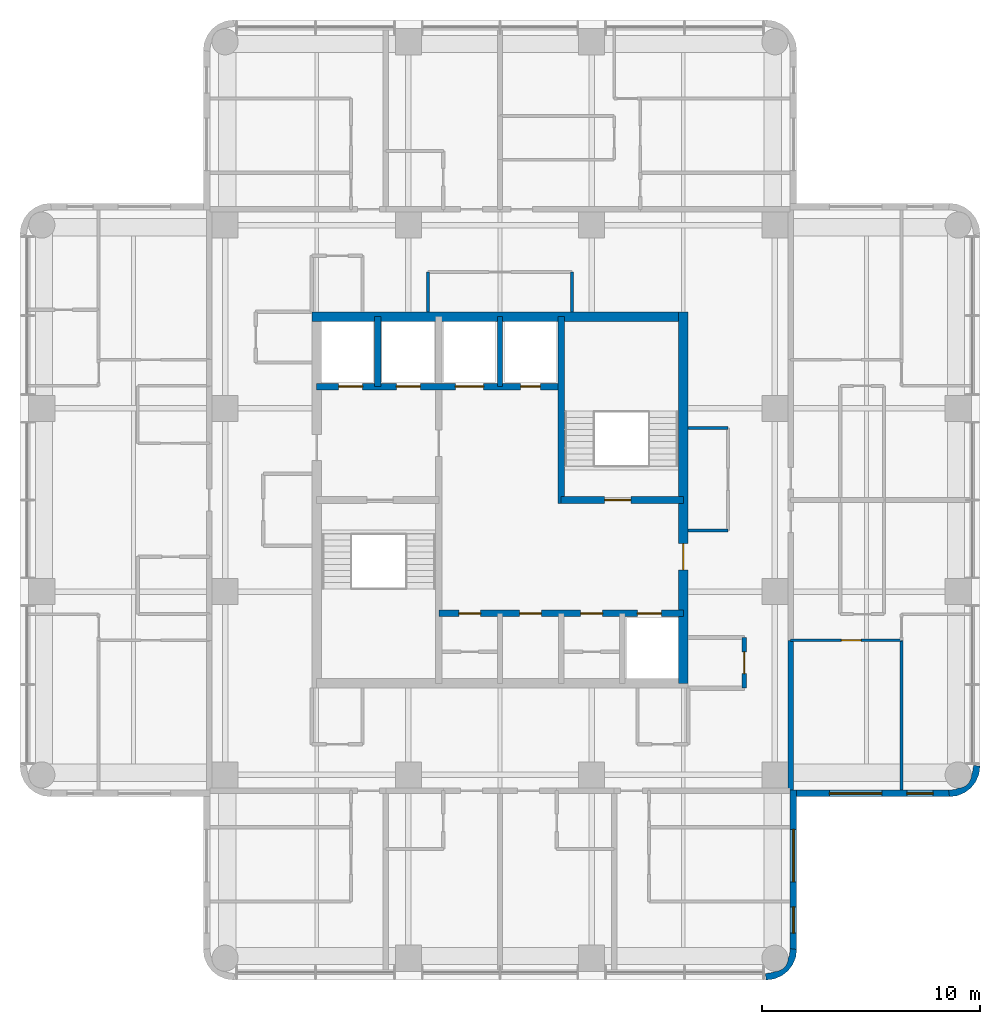
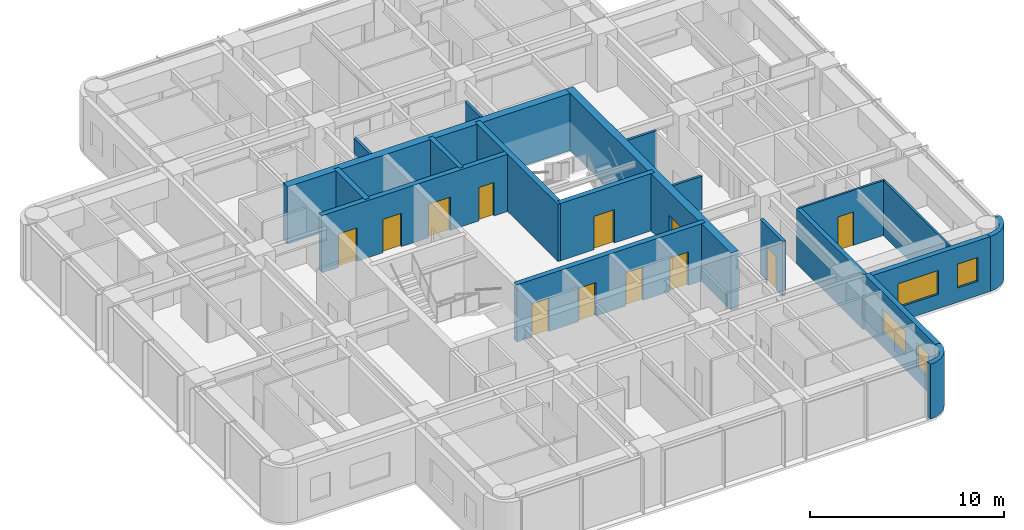
# One storey, part 6 of 10: 20 walls, 12 doors, 4 windows, 16 openings.
"""IFC4 building model written with IfcOpenShell, lengths in metres."""

from ifc_helpers import new_model, si_unit, direction, frame, frame_2d, origin, place, context, subcontext, project, spatial, polyline, rectangle, outline, extrude, material, layer, layer_set, type_object, element, fill, save


model = new_model("IFC4")

# Units and contexts
model_context = context("Model", 3, precision=1e-05, world=origin(), true_north=direction((0.0, 1.0)))
body_context = subcontext(model_context, "Body", "Model", "MODEL_VIEW")
ifc_project = project(units=[si_unit("LENGTHUNIT", "METRE"), si_unit("AREAUNIT", "SQUARE_METRE"), si_unit("VOLUMEUNIT", "CUBIC_METRE"), si_unit("PLANEANGLEUNIT", "RADIAN"), si_unit("MASSUNIT", "GRAM", prefix="KILO")], contexts=[model_context])

# Site, building, storey
site_placement = place(None, origin())
site = spatial("IfcSite", under=ifc_project, at=site_placement, CompositionType="ELEMENT")
building_placement = place(site_placement, origin())
building = spatial("IfcBuilding", under=site, at=building_placement, Name="Torre Alcanfor", CompositionType="ELEMENT")
storey_placement = place(building_placement, frame((0.0, 0.0, 279.300048828125)))
storey = spatial("IfcBuildingStorey", under=building, at=storey_placement, Name="L73", CompositionType="ELEMENT", Elevation=279.300048828125)

# Wall
ifc_material_1 = material(Name="Concrete block masonry, hollow blocks NMX-C-404 9 MPa", Category="masonry")
ifc_layer_1 = layer(ifc_material_1, 0.25)
ifc_layer_set_1 = layer_set([ifc_layer_1], Name="Apartment entrance wall 250 EI 60")
wall_type_1 = type_object("IfcWallType", Name="Apartment entrance wall 250 EI 60", PredefinedType="PARTITIONING", material=ifc_layer_set_1)
wall_1_placement = place(storey_placement, frame((42.72509765625, 22.970947265625, 0.0), z_axis=(0.0, 0.0, 1.0), x_axis=(0.0, -1.0, 0.0)))
element("IfcWall", 1, at=wall_1_placement, inside=storey, type_object=wall_type_1, Name="Partition L73-CORR / L73-E2-BED2", PredefinedType="PARTITIONING", context=body_context, shape_type="SweptSolid", body=[
    extrude(rectangle(XDim=6.870849609375, YDim=0.25, at=frame_2d((3.435546875, 0.0))), origin(), (0.0, 0.0, 1.0), 3.449951171875),
])

# Wall, opening, door
ifc_material_2 = material(Name="Gypsum board on steel studs", Category="steel")
ifc_layer_2 = layer(ifc_material_2, 0.1201171875)
ifc_layer_set_2 = layer_set([ifc_layer_2], Name="Apartment partition 120")
wall_type_2 = type_object("IfcWallType", Name="Apartment partition 120", PredefinedType="PARTITIONING", material=ifc_layer_set_2)
wall_2_placement = place(storey_placement, frame((47.800048828125, 22.970947265625, 0.0), z_axis=(0.0, 0.0, 1.0), x_axis=(-1.0, 0.0, 0.0)))
wall_2 = element("IfcWall", 2, at=wall_2_placement, inside=storey, type_object=wall_type_2, Name="Partition L73-E2-LIVING / L73-E2-BED2", PredefinedType="PARTITIONING", context=body_context, shape_type="SweptSolid", body=[
    extrude(rectangle(XDim=5.074951171875, YDim=0.1201171875, at=frame_2d((2.53759765625, 0.0))), origin(), (0.0, 0.0, 1.0), 3.449951171875),
])
opening_1_placement = place(wall_2_placement, frame((1.85009765625, 0.0, 0.0)))
opening_1 = element("IfcOpeningElement", 3, at=opening_1_placement, cuts=wall_2, Name="Opening D-R1", PredefinedType="OPENING", context=body_context, shape_type="SweptSolid", body=[
    extrude(rectangle(XDim=0.89990234375, YDim=2.10009765625, at=frame_2d((0.449951171875, 1.050048828125))), frame((0.0, 0.070068359375, 0.0), z_axis=(0.0, -1.0, 0.0), x_axis=(1.0, 0.0, 0.0)), (0.0, 0.0, 1.0), 0.14013671875),
])
ifc_material_3 = material(Name="Timber", Category="wood")
door_type_1 = type_object("IfcDoorType", Name="Internal door 900x2100", OperationType="SINGLE_SWING_LEFT", PredefinedType="DOOR", material=ifc_material_3)
door_1_placement = place(opening_1_placement, origin())
door_1 = element("IfcDoor", 4, at=door_1_placement, inside=storey, type_object=door_type_1, Name="Door L73-E2 bed2", OperationType="SINGLE_SWING_LEFT", OverallHeight=2.10009765625, OverallWidth=0.89990234375, PredefinedType="DOOR", context=body_context, shape_type="SweptSolid", body=[
    extrude(rectangle(XDim=0.89990234375, YDim=2.10009765625, at=frame_2d((0.449951171875, 1.050048828125))), frame((0.0, 0.02490234375, 0.0), z_axis=(0.0, -1.0, 0.0), x_axis=(1.0, 0.0, 0.0)), (0.0, 0.0, 1.0), 0.050048828125),
])
fill(opening_1, door_1)

# Wall
wall_3_placement = place(storey_placement, frame((47.800048828125, 22.970947265625, 0.0), z_axis=(0.0, 0.0, 1.0), x_axis=(0.0, -1.0, 0.0)))
element("IfcWall", 5, at=wall_3_placement, inside=storey, type_object=wall_type_2, Name="Partition L73-E2-BED2 / L73-E2-MASTER", PredefinedType="PARTITIONING", context=body_context, shape_type="SweptSolid", body=[
    extrude(rectangle(XDim=6.870849609375, YDim=0.1201171875, at=frame_2d((3.435546875, 0.0))), origin(), (0.0, 0.0, 1.0), 3.449951171875),
])

# Wall, openings, doors
ifc_material_4 = material(Name="Concrete f'c 70 MPa", Category="concrete")
ifc_layer_3 = layer(ifc_material_4, 0.300048828125)
ifc_layer_set_3 = layer_set([ifc_layer_3], Name="Core inner wall 300 f'c70")
wall_type_3 = type_object("IfcWallType", Name="Core inner wall 300 f'c70", PredefinedType="SHEAR", material=ifc_layer_set_3)
wall_4_placement = place(storey_placement, frame((21.0, 34.60009765625, 0.0), z_axis=(0.0, 0.0, 1.0), x_axis=(1.0, 0.0, 0.0)))
wall_4 = element("IfcWall", 6, at=wall_4_placement, inside=storey, type_object=wall_type_3, Name="Core wall Y346 L73", PredefinedType="SHEAR", context=body_context, shape_type="SweptSolid", body=[
    extrude(rectangle(XDim=11.199951171875, YDim=0.300048828125, at=frame_2d((5.60009765625, 0.0))), origin(), (0.0, 0.0, 1.0), 3.599853515625),
])
opening_2_placement = place(wall_4_placement, frame((9.35009765625, 0.0, 0.0)))
opening_2 = element("IfcOpeningElement", 7, at=opening_2_placement, cuts=wall_4, Name="Opening D-Q1", PredefinedType="OPENING", context=body_context, shape_type="SweptSolid", body=[
    extrude(rectangle(XDim=0.89990234375, YDim=2.10009765625, at=frame_2d((0.449951171875, 1.050048828125))), frame((0.0, 0.159912109375, 0.0), z_axis=(0.0, -1.0, 0.0), x_axis=(1.0, 0.0, 0.0)), (0.0, 0.0, 1.0), 0.320068359375),
])
opening_3_placement = place(wall_4_placement, frame((1.0, 0.0, 0.0)))
opening_3 = element("IfcOpeningElement", 8, at=opening_3_placement, cuts=wall_4, Name="Opening LD2", PredefinedType="OPENING", context=body_context, shape_type="SweptSolid", body=[
    extrude(rectangle(XDim=1.10009765625, YDim=2.10009765625, at=frame_2d((0.550048828125, 1.050048828125))), frame((0.0, 0.159912109375, 0.0), z_axis=(0.0, -1.0, 0.0), x_axis=(1.0, 0.0, 0.0)), (0.0, 0.0, 1.0), 0.320068359375),
])
opening_4_placement = place(wall_4_placement, frame((3.64990234375, 0.0, 0.0)))
opening_4 = element("IfcOpeningElement", 9, at=opening_4_placement, cuts=wall_4, Name="Opening LD2", PredefinedType="OPENING", context=body_context, shape_type="SweptSolid", body=[
    extrude(rectangle(XDim=1.10009765625, YDim=2.10009765625, at=frame_2d((0.550048828125, 1.050048828125))), frame((0.0, 0.159912109375, 0.0), z_axis=(0.0, -1.0, 0.0), x_axis=(1.0, 0.0, 0.0)), (0.0, 0.0, 1.0), 0.320068359375),
])
opening_5_placement = place(wall_4_placement, frame((6.35009765625, 0.0, 0.0)))
opening_5 = element("IfcOpeningElement", 10, at=opening_5_placement, cuts=wall_4, Name="Opening LD3", PredefinedType="OPENING", context=body_context, shape_type="SweptSolid", body=[
    extrude(rectangle(XDim=1.300048828125, YDim=2.10009765625, at=frame_2d((0.64990234375, 1.050048828125))), frame((0.0, 0.159912109375, 0.0), z_axis=(0.0, -1.0, 0.0), x_axis=(1.0, 0.0, 0.0)), (0.0, 0.0, 1.0), 0.320068359375),
])
ifc_material_5 = material(Name="Galvanised steel sheet ASTM A653", Category="steel")
door_type_2 = type_object("IfcDoorType", Name="Firefighting lift landing door 1100x2100", OperationType="DOUBLE_DOOR_SLIDING", PredefinedType="DOOR", material=ifc_material_5)
door_2_placement = place(opening_3_placement, origin())
door_2 = element("IfcDoor", 11, at=door_2_placement, inside=storey, type_object=door_type_2, Name="Lift landing door FL1 L73", OperationType="DOUBLE_DOOR_SLIDING", OverallHeight=2.10009765625, OverallWidth=1.10009765625, PredefinedType="DOOR", context=body_context, shape_type="SweptSolid", body=[
    extrude(rectangle(XDim=1.10009765625, YDim=2.10009765625, at=frame_2d((0.550048828125, 1.050048828125))), frame((0.0, 0.02490234375, 0.0), z_axis=(0.0, -1.0, 0.0), x_axis=(1.0, 0.0, 0.0)), (0.0, 0.0, 1.0), 0.050048828125),
])
fill(opening_3, door_2)
door_3_placement = place(opening_4_placement, origin())
door_3 = element("IfcDoor", 12, at=door_3_placement, inside=storey, type_object=door_type_2, Name="Lift landing door FL2 L73", OperationType="DOUBLE_DOOR_SLIDING", OverallHeight=2.10009765625, OverallWidth=1.10009765625, PredefinedType="DOOR", context=body_context, shape_type="SweptSolid", body=[
    extrude(rectangle(XDim=1.10009765625, YDim=2.10009765625, at=frame_2d((0.550048828125, 1.050048828125))), frame((0.0, 0.02490234375, 0.0), z_axis=(0.0, -1.0, 0.0), x_axis=(1.0, 0.0, 0.0)), (0.0, 0.0, 1.0), 0.050048828125),
])
fill(opening_4, door_3)
ifc_material_6 = material(Name="Galvanised steel sheet ASTM A653", Category="steel")
door_type_3 = type_object("IfcDoorType", Name="Riser access door FD120 900x2100", OperationType="SINGLE_SWING_LEFT", PredefinedType="DOOR", material=ifc_material_6)
door_4_placement = place(opening_2_placement, origin())
door_4 = element("IfcDoor", 13, at=door_4_placement, inside=storey, type_object=door_type_3, Name="Riser door L73", OperationType="SINGLE_SWING_LEFT", OverallHeight=2.10009765625, OverallWidth=0.89990234375, PredefinedType="DOOR", context=body_context, shape_type="SweptSolid", body=[
    extrude(rectangle(XDim=0.89990234375, YDim=2.10009765625, at=frame_2d((0.449951171875, 1.050048828125))), frame((0.0, 0.02490234375, 0.0), z_axis=(0.0, -1.0, 0.0), x_axis=(1.0, 0.0, 0.0)), (0.0, 0.0, 1.0), 0.050048828125),
])
fill(opening_2, door_4)
ifc_material_7 = material(Name="Galvanised steel sheet ASTM A653", Category="steel")
door_type_4 = type_object("IfcDoorType", Name="Service lift landing door 1300x2100", OperationType="DOUBLE_DOOR_SLIDING", PredefinedType="DOOR", material=ifc_material_7)
door_5_placement = place(opening_5_placement, origin())
door_5 = element("IfcDoor", 14, at=door_5_placement, inside=storey, type_object=door_type_4, Name="Lift landing door SL1 L73", OperationType="DOUBLE_DOOR_SLIDING", OverallHeight=2.10009765625, OverallWidth=1.300048828125, PredefinedType="DOOR", context=body_context, shape_type="SweptSolid", body=[
    extrude(rectangle(XDim=1.300048828125, YDim=2.10009765625, at=frame_2d((0.64990234375, 1.050048828125))), frame((0.0, 0.02490234375, 0.0), z_axis=(0.0, -1.0, 0.0), x_axis=(1.0, 0.0, 0.0)), (0.0, 0.0, 1.0), 0.050048828125),
])
fill(opening_5, door_5)

# Wall
wall_5_placement = place(storey_placement, frame((23.800048828125, 34.60009765625, 0.0), z_axis=(0.0, 0.0, 1.0), x_axis=(0.0, 1.0, 0.0)))
element("IfcWall", 15, at=wall_5_placement, inside=storey, type_object=wall_type_3, Name="Core wall X238 L73", PredefinedType="SHEAR", context=body_context, shape_type="SweptSolid", body=[
    extrude(rectangle(XDim=3.199951171875, YDim=0.300048828125, at=frame_2d((1.60009765625, 0.0))), origin(), (0.0, 0.0, 1.0), 3.599853515625),
])

# Wall, openings, doors
wall_6_placement = place(storey_placement, frame((26.60009765625, 24.199951171875, 0.0), z_axis=(0.0, 0.0, 1.0), x_axis=(1.0, 0.0, 0.0)))
wall_6 = element("IfcWall", 16, at=wall_6_placement, inside=storey, type_object=wall_type_3, Name="Core wall Y242 L73", PredefinedType="SHEAR", context=body_context, shape_type="SweptSolid", body=[
    extrude(rectangle(XDim=11.199951171875, YDim=0.300048828125, at=frame_2d((5.60009765625, 0.0))), origin(), (0.0, 0.0, 1.0), 3.599853515625),
])
opening_6_placement = place(wall_6_placement, frame((0.91259765625, 0.0, 0.0)))
opening_6 = element("IfcOpeningElement", 17, at=opening_6_placement, cuts=wall_6, Name="Opening D-K1", PredefinedType="OPENING", context=body_context, shape_type="SweptSolid", body=[
    extrude(rectangle(XDim=1.0, YDim=2.10009765625, at=frame_2d((0.5, 1.050048828125))), frame((0.0, 0.159912109375, 0.0), z_axis=(0.0, -1.0, 0.0), x_axis=(1.0, 0.0, 0.0)), (0.0, 0.0, 1.0), 0.320068359375),
])
opening_7_placement = place(wall_6_placement, frame((3.699951171875, 0.0, 0.0)))
opening_7 = element("IfcOpeningElement", 18, at=opening_7_placement, cuts=wall_6, Name="Opening D-K1", PredefinedType="OPENING", context=body_context, shape_type="SweptSolid", body=[
    extrude(rectangle(XDim=1.0, YDim=2.10009765625, at=frame_2d((0.5, 1.050048828125))), frame((0.0, 0.159912109375, 0.0), z_axis=(0.0, -1.0, 0.0), x_axis=(1.0, 0.0, 0.0)), (0.0, 0.0, 1.0), 0.320068359375),
])
opening_8_placement = place(wall_6_placement, frame((6.5, 0.0, 0.0)))
opening_8 = element("IfcOpeningElement", 19, at=opening_8_placement, cuts=wall_6, Name="Opening D-K1", PredefinedType="OPENING", context=body_context, shape_type="SweptSolid", body=[
    extrude(rectangle(XDim=1.0, YDim=2.10009765625, at=frame_2d((0.5, 1.050048828125))), frame((0.0, 0.159912109375, 0.0), z_axis=(0.0, -1.0, 0.0), x_axis=(1.0, 0.0, 0.0)), (0.0, 0.0, 1.0), 0.320068359375),
])
opening_9_placement = place(wall_6_placement, frame((9.10009765625, 0.0, 0.0)))
opening_9 = element("IfcOpeningElement", 20, at=opening_9_placement, cuts=wall_6, Name="Opening LD1", PredefinedType="OPENING", context=body_context, shape_type="SweptSolid", body=[
    extrude(rectangle(XDim=1.10009765625, YDim=2.10009765625, at=frame_2d((0.550048828125, 1.050048828125))), frame((0.0, 0.159912109375, 0.0), z_axis=(0.0, -1.0, 0.0), x_axis=(1.0, 0.0, 0.0)), (0.0, 0.0, 1.0), 0.320068359375),
])
ifc_material_8 = material(Name="Galvanised steel sheet ASTM A653", Category="steel")
door_type_5 = type_object("IfcDoorType", Name="Core room door FD60 1000x2100", OperationType="SINGLE_SWING_LEFT", PredefinedType="DOOR", material=ifc_material_8)
door_6_placement = place(opening_6_placement, frame((1.0, 0.0, 0.0), z_axis=(0.0, 0.0, 1.0), x_axis=(-1.0, 0.0, 0.0)))
door_6 = element("IfcDoor", 21, at=door_6_placement, inside=storey, type_object=door_type_5, Name="IT and comms room door L73", OperationType="SINGLE_SWING_RIGHT", OverallHeight=2.10009765625, OverallWidth=1.0, PredefinedType="DOOR", context=body_context, shape_type="SweptSolid", body=[
    extrude(rectangle(XDim=1.0, YDim=2.10009765625, at=frame_2d((0.5, 1.050048828125))), frame((0.0, 0.025146484375, 0.0), z_axis=(0.0, -1.0, 0.0), x_axis=(1.0, 0.0, 0.0)), (0.0, 0.0, 1.0), 0.050048828125),
])
fill(opening_6, door_6)
door_7_placement = place(opening_7_placement, frame((1.0, 0.0, 0.0), z_axis=(0.0, 0.0, 1.0), x_axis=(-1.0, 0.0, 0.0)))
door_7 = element("IfcDoor", 22, at=door_7_placement, inside=storey, type_object=door_type_5, Name="Cleaners' store door L73", OperationType="SINGLE_SWING_RIGHT", OverallHeight=2.10009765625, OverallWidth=1.0, PredefinedType="DOOR", context=body_context, shape_type="SweptSolid", body=[
    extrude(rectangle(XDim=1.0, YDim=2.10009765625, at=frame_2d((0.5, 1.050048828125))), frame((0.0, 0.025146484375, 0.0), z_axis=(0.0, -1.0, 0.0), x_axis=(1.0, 0.0, 0.0)), (0.0, 0.0, 1.0), 0.050048828125),
])
fill(opening_7, door_7)
door_8_placement = place(opening_8_placement, frame((1.0, 0.0, 0.0), z_axis=(0.0, 0.0, 1.0), x_axis=(-1.0, 0.0, 0.0)))
door_8 = element("IfcDoor", 23, at=door_8_placement, inside=storey, type_object=door_type_5, Name="Pantry door L73", OperationType="SINGLE_SWING_RIGHT", OverallHeight=2.10009765625, OverallWidth=1.0, PredefinedType="DOOR", context=body_context, shape_type="SweptSolid", body=[
    extrude(rectangle(XDim=1.0, YDim=2.10009765625, at=frame_2d((0.5, 1.050048828125))), frame((0.0, 0.025146484375, 0.0), z_axis=(0.0, -1.0, 0.0), x_axis=(1.0, 0.0, 0.0)), (0.0, 0.0, 1.0), 0.050048828125),
])
fill(opening_8, door_8)
ifc_material_9 = material(Name="Galvanised steel sheet ASTM A653", Category="steel")
door_type_6 = type_object("IfcDoorType", Name="Lift landing door 1100x2100", OperationType="DOUBLE_DOOR_SLIDING", PredefinedType="DOOR", material=ifc_material_9)
door_9_placement = place(opening_9_placement, origin())
door_9 = element("IfcDoor", 24, at=door_9_placement, inside=storey, type_object=door_type_6, Name="Lift landing door PA4 L73", OperationType="DOUBLE_DOOR_SLIDING", OverallHeight=2.10009765625, OverallWidth=1.10009765625, PredefinedType="DOOR", context=body_context, shape_type="SweptSolid", body=[
    extrude(rectangle(XDim=1.10009765625, YDim=2.10009765625, at=frame_2d((0.550048828125, 1.050048828125))), frame((0.0, 0.02490234375, 0.0), z_axis=(0.0, -1.0, 0.0), x_axis=(1.0, 0.0, 0.0)), (0.0, 0.0, 1.0), 0.050048828125),
])
fill(opening_9, door_9)

# Wall
wall_7_placement = place(storey_placement, frame((32.199951171875, 29.25, 0.0), z_axis=(0.0, 0.0, 1.0), x_axis=(0.0, 1.0, 0.0)))
element("IfcWall", 25, at=wall_7_placement, inside=storey, type_object=wall_type_3, Name="Core wall X322N L73", PredefinedType="SHEAR", context=body_context, shape_type="SweptSolid", body=[
    extrude(rectangle(XDim=8.550048828125, YDim=0.300048828125, at=frame_2d((4.27490234375, 0.0))), origin(), (0.0, 0.0, 1.0), 3.599853515625),
])

# Wall, opening, door
wall_8_placement = place(storey_placement, frame((32.199951171875, 29.39990234375, 0.0), z_axis=(0.0, 0.0, 1.0), x_axis=(1.0, 0.0, 0.0)))
wall_8 = element("IfcWall", 26, at=wall_8_placement, inside=storey, type_object=wall_type_3, Name="Core wall Y294E L73", PredefinedType="SHEAR", context=body_context, shape_type="SweptSolid", body=[
    extrude(rectangle(XDim=5.60009765625, YDim=0.300048828125, at=frame_2d((2.800048828125, 0.0))), origin(), (0.0, 0.0, 1.0), 3.599853515625),
])
opening_10_placement = place(wall_8_placement, frame((2.0, 0.0, 0.0)))
opening_10 = element("IfcOpeningElement", 27, at=opening_10_placement, cuts=wall_8, Name="Opening D-S2", PredefinedType="OPENING", context=body_context, shape_type="SweptSolid", body=[
    extrude(rectangle(XDim=1.199951171875, YDim=2.10009765625, at=frame_2d((0.60009765625, 1.050048828125))), frame((0.0, 0.159912109375, 0.0), z_axis=(0.0, -1.0, 0.0), x_axis=(1.0, 0.0, 0.0)), (0.0, 0.0, 1.0), 0.320068359375),
])
ifc_material_10 = material(Name="Galvanised steel sheet ASTM A653", Category="steel")
door_type_7 = type_object("IfcDoorType", Name="Stair enclosure door FD120 1200x2100", OperationType="SINGLE_SWING_LEFT", PredefinedType="DOOR", material=ifc_material_10)
door_10_placement = place(opening_10_placement, origin())
door_10 = element("IfcDoor", 28, at=door_10_placement, inside=storey, type_object=door_type_7, Name="Stair S2 door L73", OperationType="SINGLE_SWING_LEFT", OverallHeight=2.10009765625, OverallWidth=1.199951171875, PredefinedType="DOOR", context=body_context, shape_type="SweptSolid", body=[
    extrude(rectangle(XDim=1.199951171875, YDim=2.10009765625, at=frame_2d((0.60009765625, 1.050048828125))), frame((0.0, 0.02490234375, 0.0), z_axis=(0.0, -1.0, 0.0), x_axis=(1.0, 0.0, 0.0)), (0.0, 0.0, 1.0), 0.050048828125),
])
fill(opening_10, door_10)

# Wall
ifc_material_11 = material(Name="Concrete f'c 70 MPa", Category="concrete")
ifc_layer_4 = layer(ifc_material_11, 0.25)
ifc_layer_set_4 = layer_set([ifc_layer_4], Name="Core shaft wall 250 f'c70")
wall_type_4 = type_object("IfcWallType", Name="Core shaft wall 250 f'c70", PredefinedType="SHEAR", material=ifc_layer_set_4)
wall_9_placement = place(storey_placement, frame((29.39990234375, 34.60009765625, 0.0), z_axis=(0.0, 0.0, 1.0), x_axis=(0.0, 1.0, 0.0)))
element("IfcWall", 29, at=wall_9_placement, inside=storey, type_object=wall_type_4, Name="Core wall X294N L73", PredefinedType="SHEAR", context=body_context, shape_type="SweptSolid", body=[
    extrude(rectangle(XDim=3.199951171875, YDim=0.25, at=frame_2d((1.60009765625, 0.0))), origin(), (0.0, 0.0, 1.0), 3.599853515625),
])

# Wall, opening, door
ifc_material_12 = material(Name="Concrete f'c 70 MPa", Category="concrete")
ifc_layer_5 = layer(ifc_material_12, 0.449951171875)
ifc_layer_set_5 = layer_set([ifc_layer_5], Name="Core wall 450 f'c70")
wall_type_5 = type_object("IfcWallType", Name="Core wall 450 f'c70", PredefinedType="SHEAR", material=ifc_layer_set_5)
wall_10_placement = place(storey_placement, frame((37.800048828125, 21.0, 0.0), z_axis=(0.0, 0.0, 1.0), x_axis=(0.0, 1.0, 0.0)))
wall_10 = element("IfcWall", 30, at=wall_10_placement, inside=storey, type_object=wall_type_5, Name="Core wall OUT-E L73", PredefinedType="SHEAR", context=body_context, shape_type="SweptSolid", body=[
    extrude(rectangle(XDim=17.02490234375, YDim=0.449951171875, at=frame_2d((8.512451171875, 0.0))), origin(), (0.0, 0.0, 1.0), 3.599853515625),
])
opening_11_placement = place(wall_10_placement, frame((5.199951171875, 0.0, 0.0)))
opening_11 = element("IfcOpeningElement", 31, at=opening_11_placement, cuts=wall_10, Name="Opening D-L1", PredefinedType="OPENING", context=body_context, shape_type="SweptSolid", body=[
    extrude(rectangle(XDim=1.199951171875, YDim=2.10009765625, at=frame_2d((0.60009765625, 1.050048828125))), frame((0.0, 0.23486328125, 0.0), z_axis=(0.0, -1.0, 0.0), x_axis=(1.0, 0.0, 0.0)), (0.0, 0.0, 1.0), 0.469970703125),
])
ifc_material_13 = material(Name="Galvanised steel sheet ASTM A653", Category="steel")
door_type_8 = type_object("IfcDoorType", Name="Lobby door FD120 1200x2100", OperationType="SINGLE_SWING_LEFT", PredefinedType="DOOR", material=ifc_material_13)
door_11_placement = place(opening_11_placement, origin())
door_11 = element("IfcDoor", 32, at=door_11_placement, inside=storey, type_object=door_type_8, Name="Lift lobby entrance door L73", OperationType="SINGLE_SWING_LEFT", OverallHeight=2.10009765625, OverallWidth=1.199951171875, PredefinedType="DOOR", context=body_context, shape_type="SweptSolid", body=[
    extrude(rectangle(XDim=1.199951171875, YDim=2.10009765625, at=frame_2d((0.60009765625, 1.050048828125))), frame((0.0, 0.02490234375, 0.0), z_axis=(0.0, -1.0, 0.0), x_axis=(1.0, 0.0, 0.0)), (0.0, 0.0, 1.0), 0.050048828125),
])
fill(opening_11, door_11)

# Wall
wall_11_placement = place(storey_placement, frame((37.800048828125, 37.800048828125, 0.0), z_axis=(0.0, 0.0, 1.0), x_axis=(-1.0, 0.0, 0.0)))
element("IfcWall", 33, at=wall_11_placement, inside=storey, type_object=wall_type_5, Name="Core wall OUT-N L73", PredefinedType="SHEAR", context=body_context, shape_type="SweptSolid", body=[
    extrude(rectangle(XDim=17.025146484375, YDim=0.449951171875, at=frame_2d((8.5126953125, 0.0))), origin(), (0.0, 0.0, 1.0), 3.599853515625),
])

# Wall, openings, windows
ifc_material_14 = material(Name="Limestone cladding", Category="masonry")
ifc_layer_6 = layer(ifc_material_14, 0.0400390625, Name="Facing")
ifc_material_15 = material(Name="Ventilated air cavity")
ifc_layer_7 = layer(ifc_material_15, 0.02001953125, ventilated=True, Name="Ventilated joint")
ifc_material_16 = material(Name="Mineral wool insulation", Category="insulation")
ifc_layer_8 = layer(ifc_material_16, 0.10009765625, Name="Insulation")
ifc_material_17 = material(Name="Concrete f'c 35 MPa", Category="concrete")
ifc_layer_9 = layer(ifc_material_17, 0.139892578125, Name="Backing")
ifc_layer_set_6 = layer_set([ifc_layer_6, ifc_layer_7, ifc_layer_8, ifc_layer_9], Name="External wall stone-clad 300")
wall_type_6 = type_object("IfcWallType", Name="External wall stone-clad 300", PredefinedType="SOLIDWALL", material=ifc_layer_set_6)
wall_12_placement = place(storey_placement, frame((42.85009765625, 8.800048828125, 0.0), z_axis=(0.0, 0.0, 1.0), x_axis=(0.0, 1.0, 0.0)))
wall_12 = element("IfcWall", 34, at=wall_12_placement, inside=storey, type_object=wall_type_6, Name="External wall L73 6", PredefinedType="SOLIDWALL", context=body_context, shape_type="SweptSolid", body=[
    extrude(rectangle(XDim=7.300048828125, YDim=0.300048828125, at=frame_2d((3.64990234375, 0.0))), origin(), (0.0, 0.0, 1.0), 3.449951171875),
])
opening_12_placement = place(wall_12_placement, frame((3.10009765625, 0.0, 0.89990234375)))
opening_12 = element("IfcOpeningElement", 35, at=opening_12_placement, cuts=wall_12, Name="Opening W1", PredefinedType="OPENING", context=body_context, shape_type="SweptSolid", body=[
    extrude(rectangle(XDim=2.39990234375, YDim=1.5, at=frame_2d((1.199951171875, 0.75))), frame((0.0, 0.159912109375, 0.0), z_axis=(0.0, -1.0, 0.0), x_axis=(1.0, 0.0, 0.0)), (0.0, 0.0, 1.0), 0.320068359375),
])
opening_13_placement = place(wall_12_placement, frame((0.75, 0.0, 0.89990234375)))
opening_13 = element("IfcOpeningElement", 36, at=opening_13_placement, cuts=wall_12, Name="Opening W4", PredefinedType="OPENING", context=body_context, shape_type="SweptSolid", body=[
    extrude(rectangle(XDim=1.199951171875, YDim=1.5, at=frame_2d((0.60009765625, 0.75))), frame((0.0, 0.159912109375, 0.0), z_axis=(0.0, -1.0, 0.0), x_axis=(1.0, 0.0, 0.0)), (0.0, 0.0, 1.0), 0.320068359375),
])
ifc_material_18 = material(Name="Aluminium frame with clear double glazing", Category="aluminium")
window_type_1 = type_object("IfcWindowType", Name="Window bedroom 1200x1500", PartitioningType="SINGLE_PANEL", PredefinedType="WINDOW", material=ifc_material_18)
window_1_placement = place(opening_13_placement, origin())
window_1 = element("IfcWindow", 37, at=window_1_placement, inside=storey, type_object=window_type_1, Name="Window W4 L73-S1", OverallHeight=1.5, OverallWidth=1.199951171875, PartitioningType="SINGLE_PANEL", PredefinedType="WINDOW", context=body_context, shape_type="SweptSolid", body=[
    extrude(rectangle(XDim=1.199951171875, YDim=1.5, at=frame_2d((0.60009765625, 0.75))), frame((0.0, 0.030029296875, 0.0), z_axis=(0.0, -1.0, 0.0), x_axis=(1.0, 0.0, 0.0)), (0.0, 0.0, 1.0), 0.06005859375),
])
fill(opening_13, window_1)
ifc_material_19 = material(Name="Aluminium frame with clear double glazing", Category="aluminium")
window_type_2 = type_object("IfcWindowType", Name="Window bedroom 2400x1500", PartitioningType="SINGLE_PANEL", PredefinedType="WINDOW", material=ifc_material_19)
window_2_placement = place(opening_12_placement, origin())
window_2 = element("IfcWindow", 38, at=window_2_placement, inside=storey, type_object=window_type_2, Name="Window W1 L73-S1", OverallHeight=1.5, OverallWidth=2.39990234375, PartitioningType="SINGLE_PANEL", PredefinedType="WINDOW", context=body_context, shape_type="SweptSolid", body=[
    extrude(rectangle(XDim=2.39990234375, YDim=1.5, at=frame_2d((1.199951171875, 0.75))), frame((0.0, 0.030029296875, 0.0), z_axis=(0.0, -1.0, 0.0), x_axis=(1.0, 0.0, 0.0)), (0.0, 0.0, 1.0), 0.06005859375),
])
fill(opening_12, window_2)

wall_13_placement = place(storey_placement, frame((43.0, 15.949951171875, 0.0), z_axis=(0.0, 0.0, 1.0), x_axis=(1.0, 0.0, 0.0)))
wall_13 = element("IfcWall", 39, at=wall_13_placement, inside=storey, type_object=wall_type_6, Name="External wall L73 7", PredefinedType="SOLIDWALL", context=body_context, shape_type="SweptSolid", body=[
    extrude(rectangle(XDim=7.0, YDim=0.300048828125, at=frame_2d((3.5, 0.0))), origin(), (0.0, 0.0, 1.0), 3.449951171875),
])
opening_14_placement = place(wall_13_placement, frame((1.5, 0.0, 0.89990234375)))
opening_14 = element("IfcOpeningElement", 40, at=opening_14_placement, cuts=wall_13, Name="Opening W1", PredefinedType="OPENING", context=body_context, shape_type="SweptSolid", body=[
    extrude(rectangle(XDim=2.39990234375, YDim=1.5, at=frame_2d((1.199951171875, 0.75))), frame((0.0, 0.159912109375, 0.0), z_axis=(0.0, -1.0, 0.0), x_axis=(1.0, 0.0, 0.0)), (0.0, 0.0, 1.0), 0.320068359375),
])
opening_15_placement = place(wall_13_placement, frame((5.050048828125, 0.0, 0.89990234375)))
opening_15 = element("IfcOpeningElement", 41, at=opening_15_placement, cuts=wall_13, Name="Opening W4", PredefinedType="OPENING", context=body_context, shape_type="SweptSolid", body=[
    extrude(rectangle(XDim=1.199951171875, YDim=1.5, at=frame_2d((0.60009765625, 0.75))), frame((0.0, 0.159912109375, 0.0), z_axis=(0.0, -1.0, 0.0), x_axis=(1.0, 0.0, 0.0)), (0.0, 0.0, 1.0), 0.320068359375),
])
window_3_placement = place(opening_15_placement, origin())
window_3 = element("IfcWindow", 42, at=window_3_placement, inside=storey, type_object=window_type_1, Name="Window W4 L73-E2", OverallHeight=1.5, OverallWidth=1.199951171875, PartitioningType="SINGLE_PANEL", PredefinedType="WINDOW", context=body_context, shape_type="SweptSolid", body=[
    extrude(rectangle(XDim=1.199951171875, YDim=1.5, at=frame_2d((0.60009765625, 0.75))), frame((0.0, 0.030029296875, 0.0), z_axis=(0.0, -1.0, 0.0), x_axis=(1.0, 0.0, 0.0)), (0.0, 0.0, 1.0), 0.06005859375),
])
fill(opening_15, window_3)
window_4_placement = place(opening_14_placement, origin())
window_4 = element("IfcWindow", 43, at=window_4_placement, inside=storey, type_object=window_type_2, Name="Window W1 L73-E2", OverallHeight=1.5, OverallWidth=2.39990234375, PartitioningType="SINGLE_PANEL", PredefinedType="WINDOW", context=body_context, shape_type="SweptSolid", body=[
    extrude(rectangle(XDim=2.39990234375, YDim=1.5, at=frame_2d((1.199951171875, 0.75))), frame((0.0, 0.030029296875, 0.0), z_axis=(0.0, -1.0, 0.0), x_axis=(1.0, 0.0, 0.0)), (0.0, 0.0, 1.0), 0.06005859375),
])
fill(opening_14, window_4)

# Wall, opening, door
ifc_material_20 = material(Name="Concrete block masonry, hollow blocks NMX-C-404 9 MPa", Category="masonry")
ifc_layer_10 = layer(ifc_material_20, 0.199951171875)
ifc_layer_set_7 = layer_set([ifc_layer_10], Name="Plant room wall 200 EI 60")
wall_type_7 = type_object("IfcWallType", Name="Plant room wall 200 EI 60", PredefinedType="PARTITIONING", material=ifc_layer_set_7)
wall_14_placement = place(storey_placement, frame((40.60009765625, 20.77490234375, 0.0), z_axis=(0.0, 0.0, 1.0), x_axis=(0.0, 1.0, 0.0)))
wall_14 = element("IfcWall", 44, at=wall_14_placement, inside=storey, type_object=wall_type_7, Name="Partition L73-CORR / L73-G03", PredefinedType="PARTITIONING", context=body_context, shape_type="SweptSolid", body=[
    extrude(rectangle(XDim=2.3251953125, YDim=0.199951171875, at=frame_2d((1.16259765625, 0.0))), origin(), (0.0, 0.0, 1.0), 3.449951171875),
])
opening_16_placement = place(wall_14_placement, frame((0.66259765625, 0.0, 0.0)))
opening_16 = element("IfcOpeningElement", 45, at=opening_16_placement, cuts=wall_14, Name="Opening D-K1", PredefinedType="OPENING", context=body_context, shape_type="SweptSolid", body=[
    extrude(rectangle(XDim=1.0, YDim=2.10009765625, at=frame_2d((0.5, 1.050048828125))), frame((0.0, 0.10986328125, 0.0), z_axis=(0.0, -1.0, 0.0), x_axis=(1.0, 0.0, 0.0)), (0.0, 0.0, 1.0), 0.219970703125),
])
door_12_placement = place(opening_16_placement, origin())
door_12 = element("IfcDoor", 46, at=door_12_placement, inside=storey, type_object=door_type_5, Name="Door L73-G03 refuse and recycling store", OperationType="SINGLE_SWING_LEFT", OverallHeight=2.10009765625, OverallWidth=1.0, PredefinedType="DOOR", context=body_context, shape_type="SweptSolid", body=[
    extrude(rectangle(XDim=1.0, YDim=2.10009765625, at=frame_2d((0.5, 1.050048828125))), frame((0.0, 0.02490234375, 0.0), z_axis=(0.0, -1.0, 0.0), x_axis=(1.0, 0.0, 0.0)), (0.0, 0.0, 1.0), 0.050048828125),
])
fill(opening_16, door_12)

# Walls
ifc_material_21 = material(Name="Concrete block masonry, hollow blocks NMX-C-404 9 MPa", Category="masonry")
ifc_layer_11 = layer(ifc_material_21, 0.14990234375)
ifc_layer_set_8 = layer_set([ifc_layer_11], Name="Residents' room partition 150")
wall_type_8 = type_object("IfcWallType", Name="Residents' room partition 150", PredefinedType="PARTITIONING", material=ifc_layer_set_8)
for number, where, z_axis, x_axis, name in (
    (47, (32.699951171875, 38.02490234375, 0.0), (0.0, 0.0, 1.0), (0.0, 1.0, 0.0), "Partition L73-CORR / L73-G02"),
    (48, (26.10009765625, 39.85009765625, 0.0), (0.0, 0.0, 1.0), (0.0, -1.0, 0.0), "Partition L73-CORR / L73-G02"),
    (49, (38.02490234375, 28.0, 0.0), (0.0, 0.0, 1.0), (1.0, 0.0, 0.0), "Partition L73-CORR / L73-G04"),
    (50, (39.85009765625, 32.699951171875, 0.0), (0.0, 0.0, 1.0), (-1.0, 0.0, 0.0), "Partition L73-CORR / L73-G04"),
):
    element("IfcWall", number, at=place(storey_placement, frame(where, z_axis=z_axis, x_axis=x_axis)), inside=storey, type_object=wall_type_8, Name=name, PredefinedType="PARTITIONING", context=body_context, shape_type="SweptSolid", body=[
        extrude(rectangle(XDim=1.8251953125, YDim=0.14990234375, at=frame_2d((0.91259765625, 0.0))), origin(), (0.0, 0.0, 1.0), 3.449951171875),
    ])
ifc_layer_12 = layer(ifc_material_14, 0.0400390625, Name="Facing")
ifc_layer_13 = layer(ifc_material_15, 0.02001953125, ventilated=True, Name="Ventilated joint")
ifc_layer_14 = layer(ifc_material_16, 0.10009765625, Name="Insulation")
ifc_layer_15 = layer(ifc_material_17, 0.139892578125, Name="Backing")
ifc_layer_set_9 = layer_set([ifc_layer_12, ifc_layer_13, ifc_layer_14, ifc_layer_15], Name="Rounded corner pier stone-clad 300")
wall_type_9 = type_object("IfcWallType", Name="Rounded corner pier stone-clad 300", PredefinedType="SOLIDWALL", material=ifc_layer_set_9)
wall_15_placement = place(storey_placement, frame((41.638418254, 7.824101883, 0.0), z_axis=(0.0, 0.0, 1.0), x_axis=(0.707106781187, -0.707106781187, 0.0)))
element("IfcWall", 51, at=wall_15_placement, inside=storey, type_object=wall_type_9, Name="Corner pier L73 16", PredefinedType="SOLIDWALL", context=body_context, shape_type="SweptSolid", body=[
    extrude(outline(polyline([(0.0325517960828704, 1.468682453281438), (0.04670774238592146, 1.4545265069783868), (0.23297927971509252, 1.2116311844370118), (0.29219256729980597, 1.0692085539489986), (0.35796592756154294, 1.0034351936872616), (0.44946167805687254, 0.7824643245664655), (0.44946167805687254, 0.5431943053466035), (0.3577932940700423, 0.322396069717308), (0.2921925672998059, 0.2567953429470716), (0.23315191320659318, 0.1142000789675579), (0.046707742385921465, -0.12886787706531783), (0.03272442957437109, -0.14285118987686818), (0.2728576162517362, -0.3270511253080318), (0.4952095533045373, -0.03702685958698693), (0.6350426814200412, 0.3006442497882296), (0.6826895250742129, 0.6628293149565345), (0.635042681420041, 1.0253596471078406), (0.49520955330453736, 1.3630307564830573), (0.2726849827602357, 1.6528823887126016), (0.0325517960828704, 1.468682453281438)])), origin(), (0.0, 0.0, 1.0), 3.449951171875),
])
wall_16_placement = place(storey_placement, frame((50.038418254, 16.224101883, 0.0), z_axis=(0.0, 0.0, 1.0), x_axis=(0.707106781187, -0.707106781187, 0.0)))
element("IfcWall", 52, at=wall_16_placement, inside=storey, type_object=wall_type_9, Name="Corner pier L73 17", PredefinedType="SOLIDWALL", context=body_context, shape_type="SweptSolid", body=[
    extrude(outline(polyline([(0.046707742385922124, 1.454733667168189), (0.23315191320659384, 1.2116657111353133), (0.29219256729980647, 1.0690704471557995), (0.35796592756154344, 1.0032970868940625), (0.44928904456537255, 0.782498851264767), (0.44946167805687315, 0.5434014655364057), (0.3579659275615435, 0.3224305964156095), (0.2921925672998065, 0.25665723615387254), (0.2331519132065938, 0.11406197217435879), (0.046535108894421466, -0.1288333503670163), (0.032551796082871086, -0.14281666317856667), (0.2726849827602362, -0.3270165986097303), (0.495209553304538, -0.03716496638018607), (0.6350426814200417, 0.30050614299503053), (0.6826895250742134, 0.6630364751463366), (0.6350426814200417, 1.0252215403146416), (0.495209553304538, 1.3628926496898581), (0.27268498276023634, 1.6527442819194023), (0.032724429574371716, 1.4687169799797393), (0.046707742385922124, 1.454733667168189)])), origin(), (0.0, 0.0, 1.0), 3.449951171875),
])

save(model, "model.ifc")
